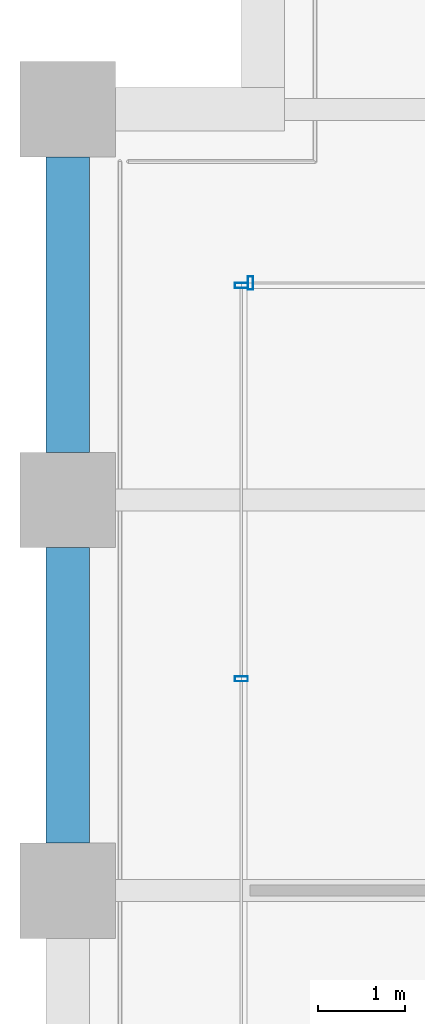
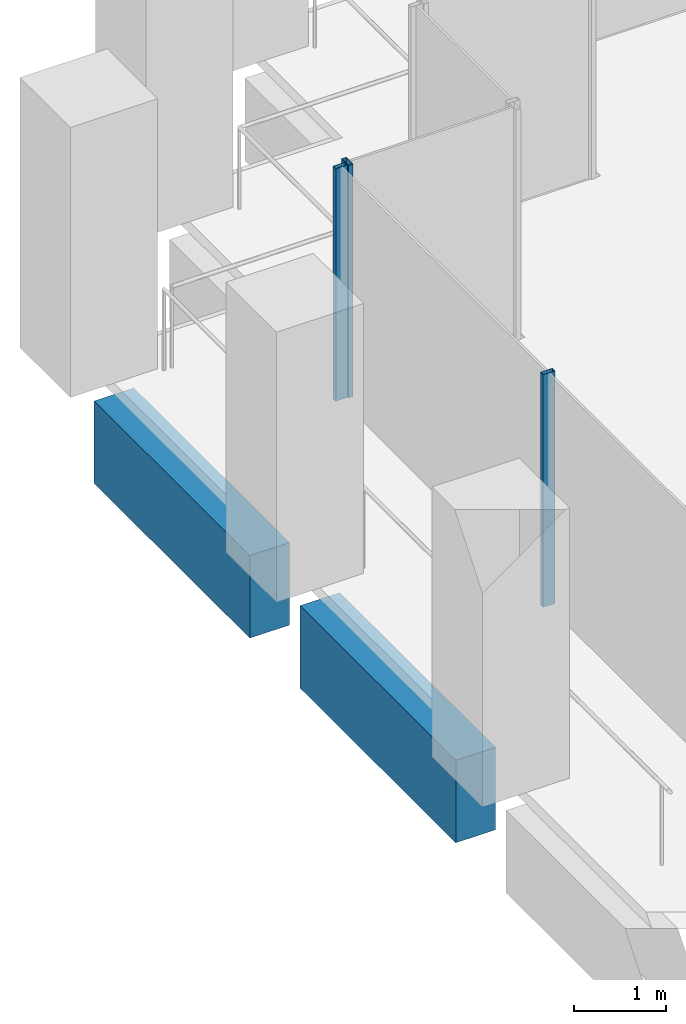
# One storey, part 23 of 56: 3 members, 2 beams, 2 elements without a shape of their own.
"""IFC4 building model written with IfcOpenShell, lengths in metres."""

from ifc_helpers import new_model, si_unit, direction, frame, origin, origin_2d, place, context, subcontext, project, spatial, rectangle, hollow_rectangle, extrude, material, material_profile, profile_set, type_object, element, aggregate, save


model = new_model("IFC4")

# Units and contexts
model_context = context("Model", 3, precision=1e-05, world=origin(), true_north=direction((0.0, 1.0)))
body_context = subcontext(model_context, "Body", "Model", "MODEL_VIEW")
ifc_project = project(units=[si_unit("LENGTHUNIT", "METRE"), si_unit("AREAUNIT", "SQUARE_METRE"), si_unit("VOLUMEUNIT", "CUBIC_METRE"), si_unit("PLANEANGLEUNIT", "RADIAN"), si_unit("MASSUNIT", "GRAM", prefix="KILO")], contexts=[model_context])

# Site, building, storey
site_placement = place(None, origin())
site = spatial("IfcSite", under=ifc_project, at=site_placement, CompositionType="ELEMENT")
building_placement = place(site_placement, origin())
building = spatial("IfcBuilding", under=site, at=building_placement, Name="Altepetl Exchange Towers", CompositionType="ELEMENT")
storey_placement = place(building_placement, frame((0.0, 0.0, 83.39990234375)))
storey = spatial("IfcBuildingStorey", under=building, at=storey_placement, Name="L20", CompositionType="ELEMENT", Elevation=83.39990234375)

# Curtain wall, member
ifc_material_1 = material(Name="Aluminium 6063-T6 glazing", Category="aluminium")
curtain_wall_type = type_object("IfcCurtainWallType", Name="Loggia glazing system", PredefinedType="NOTDEFINED", material=ifc_material_1)
curtain_wall_1_placement = place(storey_placement, origin())
curtain_wall_1 = element("IfcCurtainWall", 1, at=curtain_wall_1_placement, inside=storey, type_object=curtain_wall_type, Name="CW1 run", PredefinedType="NOTDEFINED")
ifc_material_2 = material(Name="Aluminium 6063-T6", Category="aluminium")
ifc_material_profile_1 = material_profile(ifc_material_2, hollow_rectangle(XDim=0.06005859375, YDim=0.14990234375, WallThickness=0.0029296875, at=origin_2d()), Name="Mullion 60x150 aluminium")
ifc_profile_set_1 = profile_set([ifc_material_profile_1], Name="Aluminium 6063-T6")
member_type = type_object("IfcMemberType", Name="Mullion 60x150 aluminium", PredefinedType="MULLION", material=ifc_profile_set_1)
member_1_placement = place(storey_placement, frame((29.10498046875, 65.5, 0.0), z_axis=(0.0, 0.0, 1.0), x_axis=(-1.0, 0.0, 0.0)))
member_1 = element("IfcMember", 2, at=member_1_placement, type_object=member_type, Name="MU1 mullion", PredefinedType="MULLION", context=body_context, shape_type="SweptSolid", body=[
    extrude(hollow_rectangle(XDim=0.06005859375, YDim=0.14990234375, WallThickness=0.0029296875, at=origin_2d()), origin(), (0.0, 0.0, 1.0), 3.10009765625),
])
aggregate(curtain_wall_1, [member_1])

# Curtain wall, members
curtain_wall_2_placement = place(storey_placement, origin())
curtain_wall_2 = element("IfcCurtainWall", 3, at=curtain_wall_2_placement, inside=storey, type_object=curtain_wall_type, Name="CW1 run", PredefinedType="NOTDEFINED")
member_2_placement = place(storey_placement, frame((29.0, 65.469970703125, 0.0), z_axis=(0.0, 0.0, 1.0), x_axis=(0.0, -1.0, 0.0)))
member_2 = element("IfcMember", 4, at=member_2_placement, type_object=member_type, Name="MU1 mullion", PredefinedType="MULLION", context=body_context, shape_type="SweptSolid", body=[
    extrude(hollow_rectangle(XDim=0.06005859375, YDim=0.14990234375, WallThickness=0.0029296875, at=origin_2d()), origin(), (0.0, 0.0, 1.0), 3.10009765625),
])
member_3_placement = place(storey_placement, frame((29.0, 60.939208984375, 0.0), z_axis=(0.0, 0.0, 1.0), x_axis=(0.0, -1.0, 0.0)))
member_3 = element("IfcMember", 5, at=member_3_placement, type_object=member_type, Name="MU1 mullion", PredefinedType="MULLION", context=body_context, shape_type="SweptSolid", body=[
    extrude(hollow_rectangle(XDim=0.06005859375, YDim=0.14990234375, WallThickness=0.0029296875, at=origin_2d()), origin(), (0.0, 0.0, 1.0), 3.10009765625),
])
aggregate(curtain_wall_2, [member_2, member_3])

# Beams
ifc_material_3 = material(Name="Concrete C50/60 precast with tezontle facing", Category="concrete")
ifc_material_profile_2 = material_profile(ifc_material_3, rectangle(XDim=0.5, YDim=1.10009765625, at=origin_2d()), Name="500 x 1100")
ifc_profile_set_2 = profile_set([ifc_material_profile_2], Name="Concrete C50/60 precast with tezontle facing")
beam_type = type_object("IfcBeamType", Name="Spandrel beam 500x1100 tezontle", PredefinedType="SPANDREL", material=ifc_profile_set_2)
for number, where, z_axis, x_axis, name in (
    (6, (27.0, 66.949951171875, -0.699951171875), (0.0, -1.0, 0.0), (1.0, 0.0, 0.0), "sp:A:L20:036"),
    (7, (27.0, 62.449951171875, -0.699951171875), (0.0, -1.0, 0.0), (1.0, 0.0, 0.0), "sp:A:L20:037"),
):
    element("IfcBeam", number, at=place(storey_placement, frame(where, z_axis=z_axis, x_axis=x_axis)), inside=storey, type_object=beam_type, Name=name, PredefinedType="SPANDREL", context=body_context, shape_type="SweptSolid", body=[
        extrude(rectangle(XDim=0.5, YDim=1.10009765625, at=origin_2d()), origin(), (0.0, 0.0, 1.0), 3.39990234375),
    ])

save(model, "model.ifc")
